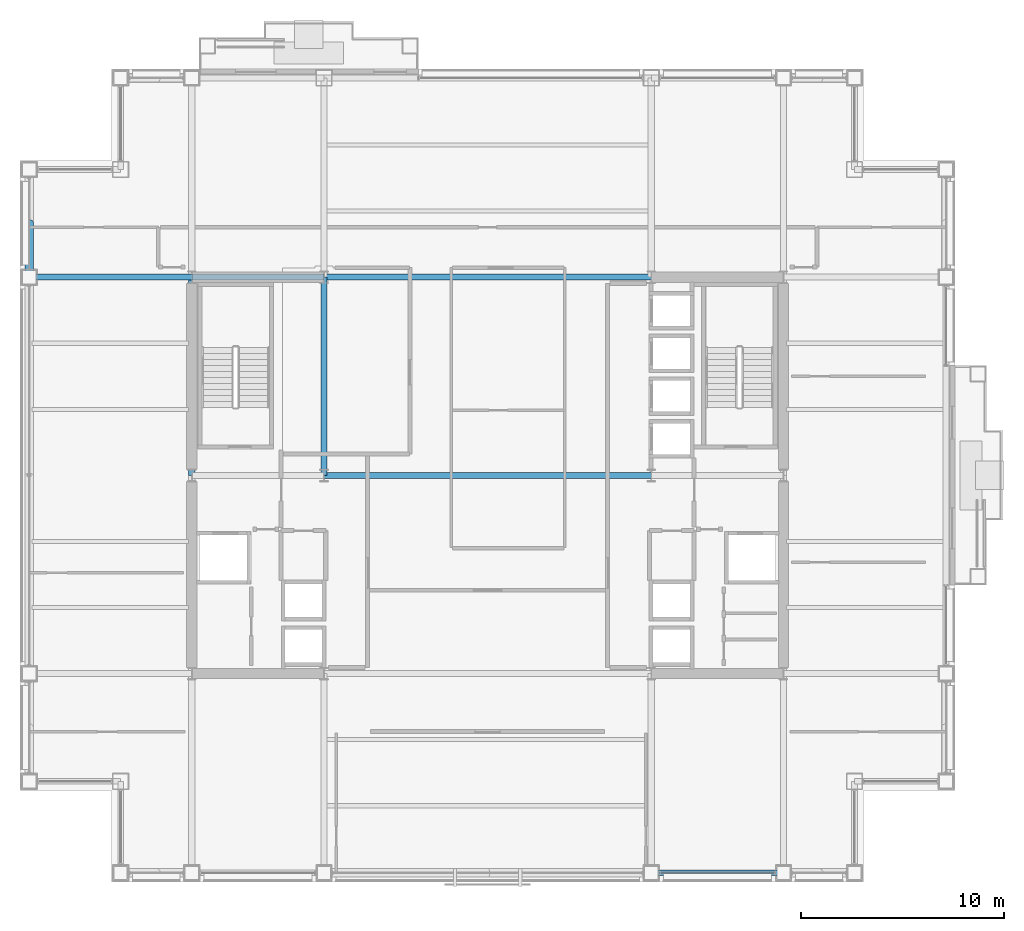
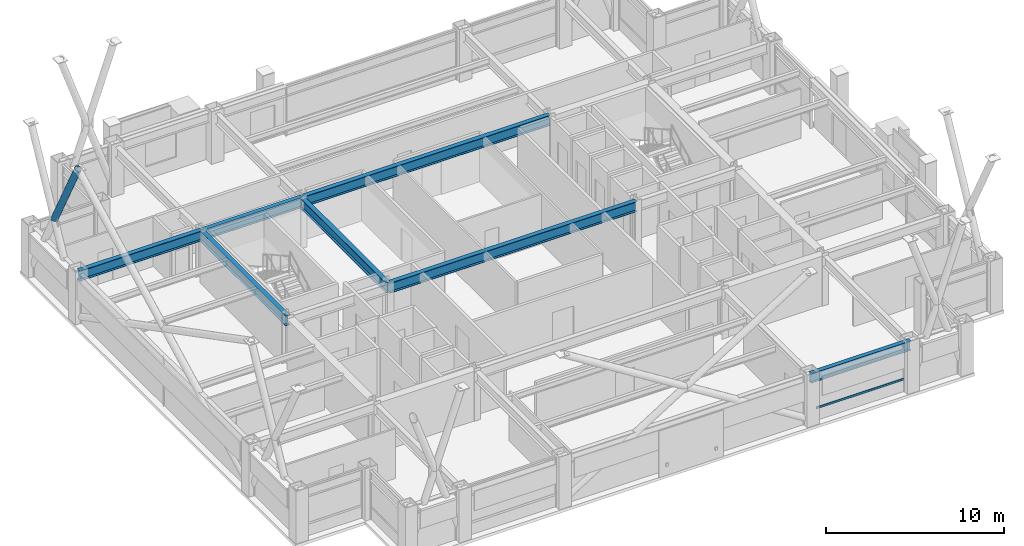
# One storey, part 11 of 35: 7 beams, 2 members, 1 element without a shape of its own.
"""IFC4 building model written with IfcOpenShell, lengths in metres."""

from ifc_helpers import new_model, si_unit, direction, frame, origin, origin_2d, place, context, subcontext, project, spatial, hollow_rectangle, hollow_circle, i_section, extrude, material, layer, layer_set, material_profile, profile_set, type_object, element, aggregate, save


model = new_model("IFC4")

# Units and contexts
model_context = context("Model", 3, precision=1e-05, world=origin(), true_north=direction((0.0, 1.0)))
body_context = subcontext(model_context, "Body", "Model", "MODEL_VIEW")
ifc_project = project(units=[si_unit("LENGTHUNIT", "METRE"), si_unit("AREAUNIT", "SQUARE_METRE"), si_unit("VOLUMEUNIT", "CUBIC_METRE"), si_unit("PLANEANGLEUNIT", "RADIAN"), si_unit("MASSUNIT", "GRAM", prefix="KILO")], contexts=[model_context])

# Site, building, storey
site_placement = place(None, origin())
site = spatial("IfcSite", under=ifc_project, at=site_placement, CompositionType="ELEMENT")
building_placement = place(site_placement, origin())
building = spatial("IfcBuilding", under=site, at=building_placement, Name="Brelmoor Portico Tower", CompositionType="ELEMENT")
storey_placement = place(building_placement, frame((0.0, 0.0, 131.39990234375)))
storey = spatial("IfcBuildingStorey", under=building, at=storey_placement, Name="L34", CompositionType="ELEMENT", Elevation=131.39990234375)

# Beams
ifc_material_1 = material(Name="Steel Q355B", Category="steel")
ifc_material_profile_1 = material_profile(ifc_material_1, i_section(OverallWidth=0.300048828125, OverallDepth=0.699951171875, WebThickness=0.012939453125, FlangeThickness=0.02392578125, at=origin_2d()), Name="HN 700x300x13x24")
ifc_profile_set_1 = profile_set([ifc_material_profile_1], Name="Steel Q355B")
beam_type_1 = type_object("IfcBeamType", Name="BM-PG-700", PredefinedType="BEAM", material=ifc_profile_set_1)
for number, where, z_axis, x_axis, name in (
    (1, (-14.550048828125, 0.0, 3.050048828125), (0.0, 1.0, 0.0), (-1.0, 0.0, 0.0), "L34 Primary Floor Girder PG-03"),
    (2, (-8.050048828125, 0.0, 3.050048828125), (0.0, 1.0, 0.0), (-1.0, 0.0, 0.0), "L34 Primary Floor Girder PG-06"),
):
    element("IfcBeam", number, at=place(storey_placement, frame(where, z_axis=z_axis, x_axis=x_axis)), inside=storey, type_object=beam_type_1, Name=name, PredefinedType="BEAM", context=body_context, shape_type="SweptSolid", body=[
        extrude(i_section(OverallWidth=0.300048828125, OverallDepth=0.699951171875, WebThickness=0.012939453125, FlangeThickness=0.02392578125, at=origin_2d()), origin(), (0.0, 0.0, 1.0), 9.75),
    ])
beam_1_placement = place(storey_placement, frame((-8.050048828125, 0.0, 3.050048828125), z_axis=(1.0, 0.0, 0.0), x_axis=(0.0, 1.0, 0.0)))
element("IfcBeam", 3, at=beam_1_placement, inside=storey, type_object=beam_type_1, Name="L34 Primary Floor Girder PG-20", PredefinedType="BEAM", context=body_context, shape_type="SweptSolid", body=[
    extrude(i_section(OverallWidth=0.300048828125, OverallDepth=0.699951171875, WebThickness=0.012939453125, FlangeThickness=0.02392578125, at=origin_2d()), origin(), (0.0, 0.0, 1.0), 16.10009765625),
])
beam_2_placement = place(storey_placement, frame((-22.550048828125, 9.75, 3.050048828125), z_axis=(1.0, 0.0, 0.0), x_axis=(0.0, 1.0, 0.0)))
element("IfcBeam", 4, at=beam_2_placement, inside=storey, type_object=beam_type_1, Name="L34 Primary Floor Girder PG-22", PredefinedType="BEAM", context=body_context, shape_type="SweptSolid", body=[
    extrude(i_section(OverallWidth=0.300048828125, OverallDepth=0.699951171875, WebThickness=0.012939453125, FlangeThickness=0.02392578125, at=origin_2d()), origin(), (0.0, 0.0, 1.0), 8.0),
])
beam_3_placement = place(storey_placement, frame((-14.550048828125, 9.75, 3.050048828125), z_axis=(1.0, 0.0, 0.0), x_axis=(0.0, 1.0, 0.0)))
element("IfcBeam", 5, at=beam_3_placement, inside=storey, type_object=beam_type_1, Name="L34 Primary Floor Girder PG-23", PredefinedType="BEAM", context=body_context, shape_type="SweptSolid", body=[
    extrude(i_section(OverallWidth=0.300048828125, OverallDepth=0.699951171875, WebThickness=0.012939453125, FlangeThickness=0.02392578125, at=origin_2d()), origin(), (0.0, 0.0, 1.0), 6.5),
])
beam_4_placement = place(storey_placement, frame((-8.050048828125, 9.75, 3.050048828125), z_axis=(1.0, 0.0, 0.0), x_axis=(0.0, 1.0, 0.0)))
element("IfcBeam", 6, at=beam_4_placement, inside=storey, type_object=beam_type_1, Name="L34 Primary Floor Girder PG-24", PredefinedType="BEAM", context=body_context, shape_type="SweptSolid", body=[
    extrude(i_section(OverallWidth=0.300048828125, OverallDepth=0.699951171875, WebThickness=0.012939453125, FlangeThickness=0.02392578125, at=origin_2d()), origin(), (0.0, 0.0, 1.0), 16.10009765625),
])
ifc_material_profile_2 = material_profile(ifc_material_1, i_section(OverallWidth=0.280029296875, OverallDepth=0.64990234375, WebThickness=0.012939453125, FlangeThickness=0.02197265625, at=origin_2d()), Name="HN 650x280x13x22")
ifc_profile_set_2 = profile_set([ifc_material_profile_2], Name="Steel Q355B")
beam_type_2 = type_object("IfcBeamType", Name="BM-SP-650", PredefinedType="SPANDREL", material=ifc_profile_set_2)
beam_5_placement = place(storey_placement, frame((8.050048828125, -19.550048828125, 3.0751953125), z_axis=(1.0, 0.0, 0.0), x_axis=(0.0, 1.0, 0.0)))
element("IfcBeam", 7, at=beam_5_placement, inside=storey, type_object=beam_type_2, Name="L34 Perimeter Spandrel Beam SP-04", PredefinedType="SPANDREL", context=body_context, shape_type="SweptSolid", body=[
    extrude(i_section(OverallWidth=0.280029296875, OverallDepth=0.64990234375, WebThickness=0.012939453125, FlangeThickness=0.02197265625, at=origin_2d()), origin(), (0.0, 0.0, 1.0), 6.5),
])

# Member
ifc_material_profile_3 = material_profile(ifc_material_1, hollow_circle(Radius=0.212890625, WallThickness=0.02001953125, at=origin_2d()), Name="CHS 426x20")
ifc_profile_set_3 = profile_set([ifc_material_profile_3], Name="Steel Q355B")
member_type_1 = type_object("IfcMemberType", Name="MB-BELT-DIAG1", PredefinedType="BRACE", material=ifc_profile_set_3)
member_1_placement = place(storey_placement, frame((-22.550048828125, 12.39990234375, 5.300048828125), z_axis=(0.0, -0.464645119255, 0.885496986529), x_axis=(1.0, 0.0, 0.0)))
element("IfcMember", 8, at=member_1_placement, inside=storey, type_object=member_type_1, Name="L34 Split Mega-X Brace 081B2", PredefinedType="BRACE", context=body_context, shape_type="SweptSolid", body=[
    extrude(hollow_circle(Radius=0.212890625, WallThickness=0.02001953125, at=origin_2d()), origin(), (0.0, 0.0, 1.0), 5.703125),
])

# Curtain wall, member
ifc_material_2 = material(Name="Anodised Aluminium Alloy 6063-T6", Category="aluminium")
ifc_layer = layer(ifc_material_2, 0.179931640625)
ifc_layer_set = layer_set([ifc_layer], Name="Anodised Aluminium Alloy 6063-T6")
curtain_wall_type = type_object("IfcCurtainWallType", Name="CW-TOWER-Z2", PredefinedType="NOTDEFINED", material=ifc_layer_set)
curtain_wall_placement = place(storey_placement, origin())
curtain_wall = element("IfcCurtainWall", 9, at=curtain_wall_placement, inside=storey, type_object=curtain_wall_type, Name="L34 Curtain Wall CW-L34-01-4", PredefinedType="NOTDEFINED")
ifc_material_profile_4 = material_profile(ifc_material_2, hollow_rectangle(XDim=0.06494140625, YDim=0.139892578125, WallThickness=0.00390625, at=origin_2d()), Name="ALU TRANSOM 65x140")
ifc_profile_set_4 = profile_set([ifc_material_profile_4], Name="Anodised Aluminium Alloy 6063-T6")
member_type_2 = type_object("IfcMemberType", Name="MB-CW-TRAN-140", PredefinedType="USERDEFINED", material=ifc_profile_set_4)
member_2_placement = place(storey_placement, frame((8.4599609375, -19.550048828125, 0.85009765625), z_axis=(1.0, 0.0, 0.0), x_axis=(0.0, 1.0, 0.0)))
member_2 = element("IfcMember", 10, at=member_2_placement, type_object=member_type_2, Name="CW-L34-01-4 Transom 1-00", ObjectType="TRANSOM", PredefinedType="USERDEFINED", context=body_context, shape_type="SweptSolid", body=[
    extrude(hollow_rectangle(XDim=0.06494140625, YDim=0.139892578125, WallThickness=0.00390625, at=origin_2d()), origin(), (0.0, 0.0, 1.0), 5.679931640625),
])
aggregate(curtain_wall, [member_2])

save(model, "model.ifc")
